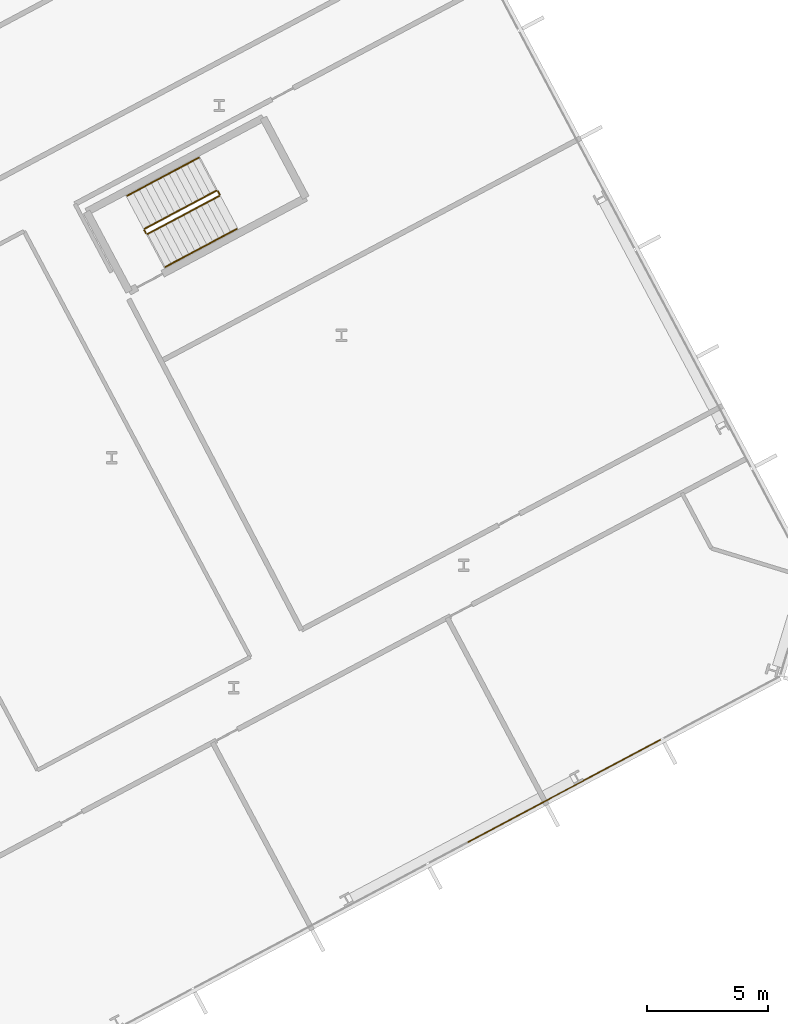
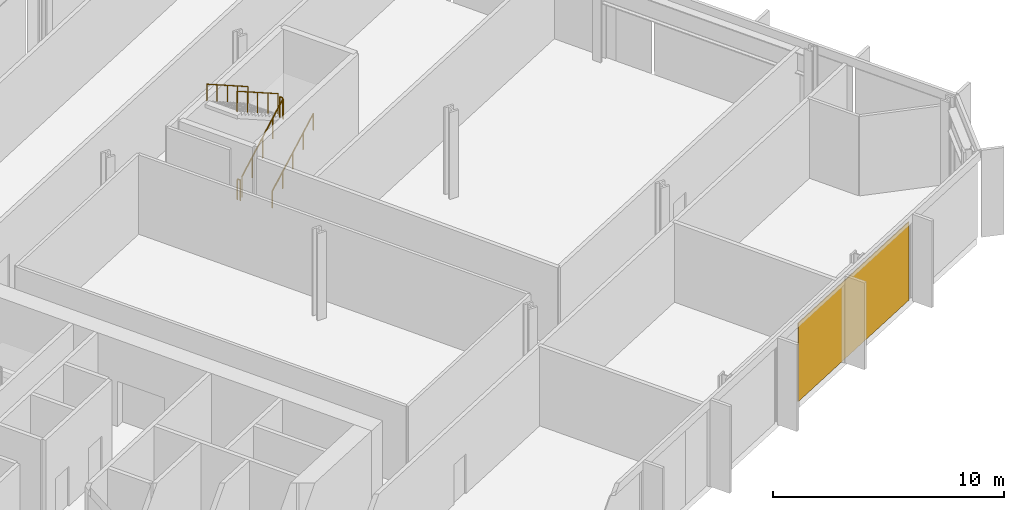
# One storey, part 31 of 32: 6 railings, 1 covering, 1 element without a shape of its own.
"""IFC4 building model written with IfcOpenShell, lengths in metres."""

from ifc_helpers import new_model, si_unit, direction, frame, origin, origin_2d, place, context, subcontext, project, spatial, polyline, rectangle, outline, extrude, material, layer, layer_set, type_object, element, aggregate, save


model = new_model("IFC4")

# Units and contexts
model_context = context("Model", 3, precision=1e-05, world=origin(), true_north=direction((0.0, 1.0)))
body_context = subcontext(model_context, "Body", "Model", "MODEL_VIEW")
ifc_project = project(units=[si_unit("LENGTHUNIT", "METRE"), si_unit("AREAUNIT", "SQUARE_METRE"), si_unit("VOLUMEUNIT", "CUBIC_METRE"), si_unit("PLANEANGLEUNIT", "RADIAN"), si_unit("MASSUNIT", "GRAM", prefix="KILO")], contexts=[model_context])

# Site, building, storey
site_placement = place(None, origin())
site = spatial("IfcSite", under=ifc_project, at=site_placement, CompositionType="ELEMENT")
building_placement = place(site_placement, origin())
building = spatial("IfcBuilding", under=site, at=building_placement, Name="Cormorant Relay Tower", CompositionType="ELEMENT")
storey_placement = place(building_placement, frame((0.0, 0.0, 75.39990234375)))
storey = spatial("IfcBuildingStorey", under=building, at=storey_placement, Name="L14", CompositionType="ELEMENT", Elevation=75.39990234375)

# Curtain wall, covering
ifc_material_1 = material(Name="Aluminium 6063-T6 anodised bronze", Category="aluminium")
ifc_layer_1 = layer(ifc_material_1, 0.199951171875)
ifc_layer_set_1 = layer_set([ifc_layer_1], Name="CW1 unitised bronze curtain wall with vertical fins")
curtain_wall_type = type_object("IfcCurtainWallType", Name="CW1 unitised bronze curtain wall with vertical fins", PredefinedType="NOTDEFINED", material=ifc_layer_set_1)
curtain_wall_placement = place(storey_placement, origin())
curtain_wall = element("IfcCurtainWall", 1, at=curtain_wall_placement, inside=storey, type_object=curtain_wall_type, Name="CW1 curtain wall 2", PredefinedType="NOTDEFINED")
ifc_material_2 = material(Name="Pale bronze anodised aluminium insulated panel", Category="aluminium")
ifc_layer_2 = layer(ifc_material_2, 0.0400390625)
ifc_layer_set_2 = layer_set([ifc_layer_2], Name="CW1 pale bronze insulated panel 40")
covering_type = type_object("IfcCoveringType", Name="CW1 pale bronze insulated panel 40", PredefinedType="CLADDING", material=ifc_layer_set_2)
covering_placement = place(storey_placement, frame((61.85302734375, 9.081298828125, 0.000244140625), z_axis=(0.0, 0.0, 1.0), x_axis=(0.882947592859, 0.469471562786, 0.0)))
covering = element("IfcCovering", 2, at=covering_placement, type_object=covering_type, Name="CW1 panel S13", PredefinedType="CLADDING", context=body_context, shape_type="SweptSolid", body=[
    extrude(rectangle(XDim=9.07373046875, YDim=0.0400390625, at=origin_2d()), origin(), (0.0, 0.0, 1.0), 4.14990234375),
])
aggregate(curtain_wall, [covering])

# Railings
ifc_material_3 = material(Name="Steel ASTM A572 Grade 50 (Fy 345 MPa)", Category="steel")
railing_type_1 = type_object("IfcRailingType", Name="Stair guard 1100", PredefinedType="GUARDRAIL", material=ifc_material_3)
railing_1_placement = place(storey_placement, frame((44.583740234375, 32.186279296875, 0.177001953125)))
element("IfcRailing", 3, at=railing_1_placement, inside=storey, type_object=railing_type_1, Name="L14 RB1 stair guard 1", PredefinedType="GUARDRAIL", context=body_context, shape_type="SweptSolid", body=[
    extrude(outline(polyline([(0.022216796875, 0.00927734375), (0.00927734375, 0.022216796875), (-0.00927734375, 0.022216796875), (-0.022216796875, 0.00927734375), (-0.022216796875, -0.00927734375), (-0.00927734375, -0.022216796875), (0.00927734375, -0.022216796875), (0.022216796875, -0.00927734375), (0.022216796875, 0.00927734375)])), frame((0.0, 0.0, 1.076171875), z_axis=(0.746422470992, 0.396920836698, 0.534141689248), x_axis=(-0.469509342547, 0.882927503967, 0.0)), (0.0, 0.0, 1.0), 3.974609375),
    extrude(outline(polyline([(0.019287109375, 0.008056640625), (0.008056640625, 0.019287109375), (-0.008056640625, 0.019287109375), (-0.019287109375, 0.008056640625), (-0.019287109375, -0.008056640625), (-0.008056640625, -0.019287109375), (0.008056640625, -0.019287109375), (0.019287109375, -0.008056640625), (0.019287109375, 0.008056640625)])), origin(), (0.0, 0.0, 1.0), 1.052001953125),
    extrude(outline(polyline([(0.019287109375, 0.008056640625), (0.008056640625, 0.019287109375), (-0.008056640625, 0.019287109375), (-0.019287109375, 0.008056640625), (-0.019287109375, -0.008056640625), (-0.008056640625, -0.019287109375), (0.008056640625, -0.019287109375), (0.019287109375, -0.008056640625), (0.019287109375, 0.008056640625)])), frame((0.74169921875, 0.39453125, 0.53076171875)), (0.0, 0.0, 1.0), 1.052001953125),
    extrude(outline(polyline([(0.019287109375, 0.008056640625), (0.008056640625, 0.019287109375), (-0.008056640625, 0.019287109375), (-0.019287109375, 0.008056640625), (-0.019287109375, -0.008056640625), (-0.008056640625, -0.019287109375), (0.008056640625, -0.019287109375), (0.019287109375, -0.008056640625), (0.019287109375, 0.008056640625)])), frame((1.4833984375, 0.788818359375, 1.0615234375)), (0.0, 0.0, 1.0), 1.052001953125),
    extrude(outline(polyline([(0.019287109375, 0.008056640625), (0.008056640625, 0.019287109375), (-0.008056640625, 0.019287109375), (-0.019287109375, 0.008056640625), (-0.019287109375, -0.008056640625), (-0.008056640625, -0.019287109375), (0.008056640625, -0.019287109375), (0.019287109375, -0.008056640625), (0.019287109375, 0.008056640625)])), frame((2.22509765625, 1.18310546875, 1.59228515625)), (0.0, 0.0, 1.0), 1.052001953125),
    extrude(outline(polyline([(0.019287109375, 0.008056640625), (0.008056640625, 0.019287109375), (-0.008056640625, 0.019287109375), (-0.019287109375, 0.008056640625), (-0.019287109375, -0.008056640625), (-0.008056640625, -0.019287109375), (0.008056640625, -0.019287109375), (0.019287109375, -0.008056640625), (0.019287109375, 0.008056640625)])), frame((2.966796875, 1.57763671875, 2.123046875)), (0.0, 0.0, 1.0), 1.052001953125),
])
railing_2_placement = place(storey_placement, frame((47.571044921875, 33.831298828125, 2.300048828125)))
element("IfcRailing", 4, at=railing_2_placement, inside=storey, type_object=railing_type_1, Name="L14 RB1 stair guard 2", PredefinedType="GUARDRAIL", context=body_context, shape_type="SweptSolid", body=[
    extrude(outline(polyline([(0.022216796875, 0.00927734375), (0.00927734375, 0.022216796875), (-0.00927734375, 0.022216796875), (-0.022216796875, 0.00927734375), (-0.022216796875, -0.00927734375), (-0.00927734375, -0.022216796875), (0.00927734375, -0.022216796875), (0.022216796875, -0.00927734375), (0.022216796875, 0.00927734375)])), frame((0.0, 0.0, 1.076171875), z_axis=(-0.46856034887, 0.8834314911, 0.0), x_axis=(-0.8834314911, -0.46856034887, 0.0)), (0.0, 0.0, 1.0), 0.150146484375),
    extrude(outline(polyline([(0.019287109375, 0.008056640625), (0.008056640625, 0.019287109375), (-0.008056640625, 0.019287109375), (-0.019287109375, 0.008056640625), (-0.019287109375, -0.008056640625), (-0.008056640625, -0.019287109375), (0.008056640625, -0.019287109375), (0.019287109375, -0.008056640625), (0.019287109375, 0.008056640625)])), origin(), (0.0, 0.0, 1.0), 1.052001953125),
    extrude(outline(polyline([(0.019287109375, 0.008056640625), (0.008056640625, 0.019287109375), (-0.008056640625, 0.019287109375), (-0.019287109375, 0.008056640625), (-0.019287109375, -0.008056640625), (-0.008056640625, -0.019287109375), (0.008056640625, -0.019287109375), (0.019287109375, -0.008056640625), (0.019287109375, 0.008056640625)])), frame((-0.0703125, 0.132568359375, 0.0)), (0.0, 0.0, 1.0), 1.052001953125),
])
railing_3_placement = place(storey_placement, frame((47.43310546875, 33.984619140625, 2.47705078125)))
element("IfcRailing", 5, at=railing_3_placement, inside=storey, type_object=railing_type_1, Name="L14 RB1 stair guard 3", PredefinedType="GUARDRAIL", context=body_context, shape_type="SweptSolid", body=[
    extrude(outline(polyline([(0.022216796875, 0.00927734375), (0.00927734375, 0.022216796875), (-0.00927734375, 0.022216796875), (-0.022216796875, 0.00927734375), (-0.022216796875, -0.00927734375), (-0.00927734375, -0.022216796875), (0.00927734375, -0.022216796875), (0.022216796875, -0.00927734375), (0.022216796875, 0.00927734375)])), frame((0.0, 0.0, 1.076171875), z_axis=(-0.746440668329, -0.396869088057, 0.534154711306), x_axis=(0.46945269911, -0.882957622595, 0.0)), (0.0, 0.0, 1.0), 3.974609375),
    extrude(outline(polyline([(0.019287109375, 0.008056640625), (0.008056640625, 0.019287109375), (-0.008056640625, 0.019287109375), (-0.019287109375, 0.008056640625), (-0.019287109375, -0.008056640625), (-0.008056640625, -0.019287109375), (0.008056640625, -0.019287109375), (0.019287109375, -0.008056640625), (0.019287109375, 0.008056640625)])), origin(), (0.0, 0.0, 1.0), 1.052001953125),
    extrude(outline(polyline([(0.019287109375, 0.008056640625), (0.008056640625, 0.019287109375), (-0.008056640625, 0.019287109375), (-0.019287109375, 0.008056640625), (-0.019287109375, -0.008056640625), (-0.008056640625, -0.019287109375), (0.008056640625, -0.019287109375), (0.019287109375, -0.008056640625), (0.019287109375, 0.008056640625)])), frame((-0.74169921875, -0.394287109375, 0.53076171875)), (0.0, 0.0, 1.0), 1.052001953125),
    extrude(outline(polyline([(0.019287109375, 0.008056640625), (0.008056640625, 0.019287109375), (-0.008056640625, 0.019287109375), (-0.019287109375, 0.008056640625), (-0.019287109375, -0.008056640625), (-0.008056640625, -0.019287109375), (0.008056640625, -0.019287109375), (0.019287109375, -0.008056640625), (0.019287109375, 0.008056640625)])), frame((-1.4833984375, -0.78857421875, 1.0615234375)), (0.0, 0.0, 1.0), 1.052001953125),
    extrude(outline(polyline([(0.019287109375, 0.008056640625), (0.008056640625, 0.019287109375), (-0.008056640625, 0.019287109375), (-0.019287109375, 0.008056640625), (-0.019287109375, -0.008056640625), (-0.008056640625, -0.019287109375), (0.008056640625, -0.019287109375), (0.019287109375, -0.008056640625), (0.019287109375, 0.008056640625)])), frame((-2.22509765625, -1.18310546875, 1.59228515625)), (0.0, 0.0, 1.0), 1.052001953125),
    extrude(outline(polyline([(0.019287109375, 0.008056640625), (0.008056640625, 0.019287109375), (-0.008056640625, 0.019287109375), (-0.019287109375, 0.008056640625), (-0.019287109375, -0.008056640625), (-0.008056640625, -0.019287109375), (0.008056640625, -0.019287109375), (0.019287109375, -0.008056640625), (0.019287109375, 0.008056640625)])), frame((-2.966796875, -1.577392578125, 2.123046875)), (0.0, 0.0, 1.0), 1.052001953125),
])
railing_4_placement = place(storey_placement, frame((44.51611328125, 32.20703125, 0.0)))
element("IfcRailing", 6, at=railing_4_placement, inside=storey, type_object=railing_type_1, Name="L14 RB1 stair guard 4", PredefinedType="GUARDRAIL", context=body_context, shape_type="SweptSolid", body=[
    extrude(outline(polyline([(0.022216796875, 0.00927734375), (0.00927734375, 0.022216796875), (-0.00927734375, 0.022216796875), (-0.022216796875, 0.00927734375), (-0.022216796875, -0.00927734375), (-0.00927734375, -0.022216796875), (0.00927734375, -0.022216796875), (0.022216796875, -0.00927734375), (0.022216796875, 0.00927734375)])), frame((0.0, 0.0, 1.076171875), z_axis=(-0.46856034887, 0.8834314911, 0.0), x_axis=(-0.8834314911, -0.46856034887, 0.0)), (0.0, 0.0, 1.0), 0.150146484375),
    extrude(outline(polyline([(0.019287109375, 0.008056640625), (0.008056640625, 0.019287109375), (-0.008056640625, 0.019287109375), (-0.019287109375, 0.008056640625), (-0.019287109375, -0.008056640625), (-0.008056640625, -0.019287109375), (0.008056640625, -0.019287109375), (0.019287109375, -0.008056640625), (0.019287109375, 0.008056640625)])), origin(), (0.0, 0.0, 1.0), 1.052001953125),
    extrude(outline(polyline([(0.019287109375, 0.008056640625), (0.008056640625, 0.019287109375), (-0.008056640625, 0.019287109375), (-0.019287109375, 0.008056640625), (-0.019287109375, -0.008056640625), (-0.008056640625, -0.019287109375), (0.008056640625, -0.019287109375), (0.019287109375, -0.008056640625), (0.019287109375, 0.008056640625)])), frame((-0.0703125, 0.132568359375, 0.0)), (0.0, 0.0, 1.0), 1.052001953125),
])
ifc_material_4 = material(Name="Steel ASTM A572 Grade 50 (Fy 345 MPa)", Category="steel")
railing_type_2 = type_object("IfcRailingType", Name="Stair handrail 900", PredefinedType="HANDRAIL", material=ifc_material_4)
railing_5_placement = place(storey_placement, frame((45.3115234375, 30.81787109375, 0.177001953125)))
element("IfcRailing", 7, at=railing_5_placement, inside=storey, type_object=railing_type_2, Name="L14 RB1 stair handrail 1", PredefinedType="HANDRAIL", context=body_context, shape_type="SweptSolid", body=[
    extrude(outline(polyline([(0.022216796875, 0.00927734375), (0.00927734375, 0.022216796875), (-0.00927734375, 0.022216796875), (-0.022216796875, 0.00927734375), (-0.022216796875, -0.00927734375), (-0.00927734375, -0.022216796875), (0.00927734375, -0.022216796875), (0.022216796875, -0.00927734375), (0.022216796875, 0.00927734375)])), frame((0.0, 0.0, 0.8759765625), z_axis=(0.746413465702, 0.396887285154, 0.534179203172), x_axis=(-0.469482818608, 0.88294160794, 0.0)), (0.0, 0.0, 1.0), 3.974365234375),
    extrude(outline(polyline([(0.019287109375, 0.008056640625), (0.008056640625, 0.019287109375), (-0.008056640625, 0.019287109375), (-0.019287109375, 0.008056640625), (-0.019287109375, -0.008056640625), (-0.008056640625, -0.019287109375), (0.008056640625, -0.019287109375), (0.019287109375, -0.008056640625), (0.019287109375, 0.008056640625)])), origin(), (0.0, 0.0, 1.0), 0.851806640625),
    extrude(outline(polyline([(0.019287109375, 0.008056640625), (0.008056640625, 0.019287109375), (-0.008056640625, 0.019287109375), (-0.019287109375, 0.008056640625), (-0.019287109375, -0.008056640625), (-0.008056640625, -0.019287109375), (0.008056640625, -0.019287109375), (0.019287109375, -0.008056640625), (0.019287109375, 0.008056640625)])), frame((0.74169921875, 0.394287109375, 0.53076171875)), (0.0, 0.0, 1.0), 0.851806640625),
    extrude(outline(polyline([(0.019287109375, 0.008056640625), (0.008056640625, 0.019287109375), (-0.008056640625, 0.019287109375), (-0.019287109375, 0.008056640625), (-0.019287109375, -0.008056640625), (-0.008056640625, -0.019287109375), (0.008056640625, -0.019287109375), (0.019287109375, -0.008056640625), (0.019287109375, 0.008056640625)])), frame((1.4833984375, 0.78857421875, 1.0615234375)), (0.0, 0.0, 1.0), 0.851806640625),
    extrude(outline(polyline([(0.019287109375, 0.008056640625), (0.008056640625, 0.019287109375), (-0.008056640625, 0.019287109375), (-0.019287109375, 0.008056640625), (-0.019287109375, -0.008056640625), (-0.008056640625, -0.019287109375), (0.008056640625, -0.019287109375), (0.019287109375, -0.008056640625), (0.019287109375, 0.008056640625)])), frame((2.224853515625, 1.18310546875, 1.59228515625)), (0.0, 0.0, 1.0), 0.851806640625),
    extrude(outline(polyline([(0.019287109375, 0.008056640625), (0.008056640625, 0.019287109375), (-0.008056640625, 0.019287109375), (-0.019287109375, 0.008056640625), (-0.019287109375, -0.008056640625), (-0.008056640625, -0.019287109375), (0.008056640625, -0.019287109375), (0.019287109375, -0.008056640625), (0.019287109375, 0.008056640625)])), frame((2.966552734375, 1.577392578125, 2.123046875)), (0.0, 0.0, 1.0), 0.851806640625),
])
railing_6_placement = place(storey_placement, frame((46.705322265625, 35.35302734375, 2.47705078125)))
element("IfcRailing", 8, at=railing_6_placement, inside=storey, type_object=railing_type_2, Name="L14 RB1 stair handrail 2", PredefinedType="HANDRAIL", context=body_context, shape_type="SweptSolid", body=[
    extrude(outline(polyline([(0.022216796875, 0.00927734375), (0.00927734375, 0.022216796875), (-0.00927734375, 0.022216796875), (-0.022216796875, 0.00927734375), (-0.022216796875, -0.00927734375), (-0.00927734375, -0.022216796875), (0.00927734375, -0.022216796875), (0.022216796875, -0.00927734375), (0.022216796875, 0.00927734375)])), frame((0.0, 0.0, 0.8759765625), z_axis=(-0.746413465702, -0.396887285154, 0.534179203172), x_axis=(0.469482818608, -0.88294160794, 0.0)), (0.0, 0.0, 1.0), 3.974365234375),
    extrude(outline(polyline([(0.019287109375, 0.008056640625), (0.008056640625, 0.019287109375), (-0.008056640625, 0.019287109375), (-0.019287109375, 0.008056640625), (-0.019287109375, -0.008056640625), (-0.008056640625, -0.019287109375), (0.008056640625, -0.019287109375), (0.019287109375, -0.008056640625), (0.019287109375, 0.008056640625)])), origin(), (0.0, 0.0, 1.0), 0.851806640625),
    extrude(outline(polyline([(0.019287109375, 0.008056640625), (0.008056640625, 0.019287109375), (-0.008056640625, 0.019287109375), (-0.019287109375, 0.008056640625), (-0.019287109375, -0.008056640625), (-0.008056640625, -0.019287109375), (0.008056640625, -0.019287109375), (0.019287109375, -0.008056640625), (0.019287109375, 0.008056640625)])), frame((-0.74169921875, -0.394287109375, 0.53076171875)), (0.0, 0.0, 1.0), 0.851806640625),
    extrude(outline(polyline([(0.019287109375, 0.008056640625), (0.008056640625, 0.019287109375), (-0.008056640625, 0.019287109375), (-0.019287109375, 0.008056640625), (-0.019287109375, -0.008056640625), (-0.008056640625, -0.019287109375), (0.008056640625, -0.019287109375), (0.019287109375, -0.008056640625), (0.019287109375, 0.008056640625)])), frame((-1.4833984375, -0.78857421875, 1.0615234375)), (0.0, 0.0, 1.0), 0.851806640625),
    extrude(outline(polyline([(0.019287109375, 0.008056640625), (0.008056640625, 0.019287109375), (-0.008056640625, 0.019287109375), (-0.019287109375, 0.008056640625), (-0.019287109375, -0.008056640625), (-0.008056640625, -0.019287109375), (0.008056640625, -0.019287109375), (0.019287109375, -0.008056640625), (0.019287109375, 0.008056640625)])), frame((-2.224853515625, -1.18310546875, 1.59228515625)), (0.0, 0.0, 1.0), 0.851806640625),
    extrude(outline(polyline([(0.019287109375, 0.008056640625), (0.008056640625, 0.019287109375), (-0.008056640625, 0.019287109375), (-0.019287109375, 0.008056640625), (-0.019287109375, -0.008056640625), (-0.008056640625, -0.019287109375), (0.008056640625, -0.019287109375), (0.019287109375, -0.008056640625), (0.019287109375, 0.008056640625)])), frame((-2.966552734375, -1.577392578125, 2.123046875)), (0.0, 0.0, 1.0), 0.851806640625),
])

save(model, "model.ifc")
